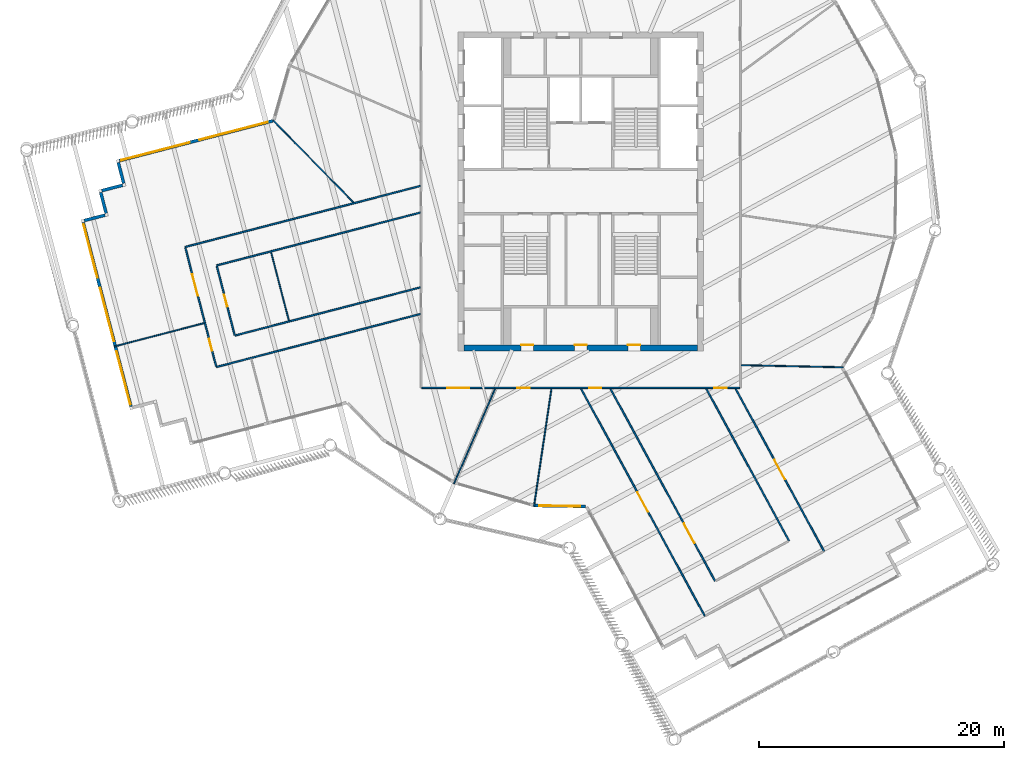
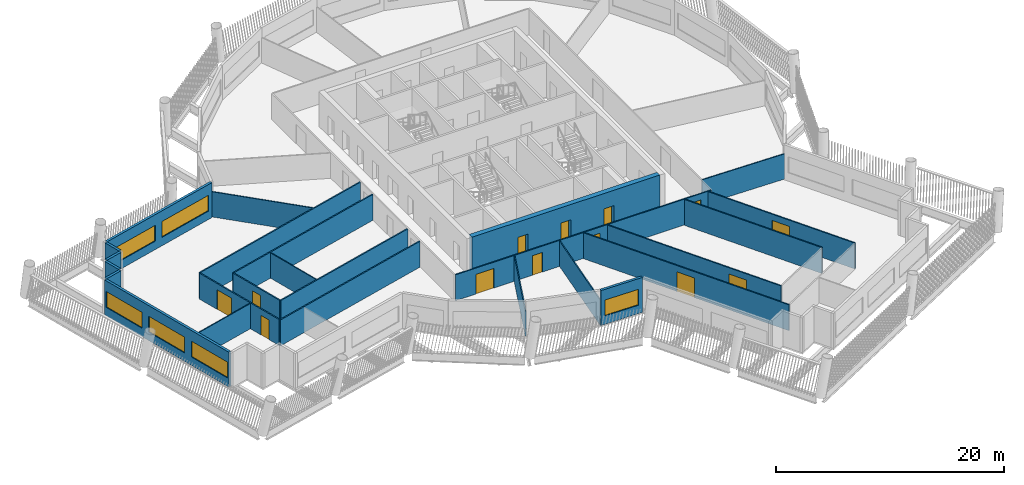
# One storey, part 3 of 14: 25 walls, 13 doors, 6 windows, 19 openings.
"""IFC4 building model written with IfcOpenShell, lengths in metres."""

from ifc_helpers import new_model, si_unit, direction, frame, frame_2d, origin, place, context, subcontext, project, spatial, rectangle, extrude, material, layer, layer_set, type_object, element, fill, save


model = new_model("IFC4")

# Units and contexts
model_context = context("Model", 3, precision=1e-05, world=origin(), true_north=direction((0.0, 1.0)))
body_context = subcontext(model_context, "Body", "Model", "MODEL_VIEW")
ifc_project = project(units=[si_unit("LENGTHUNIT", "METRE"), si_unit("AREAUNIT", "SQUARE_METRE"), si_unit("VOLUMEUNIT", "CUBIC_METRE"), si_unit("PLANEANGLEUNIT", "RADIAN"), si_unit("MASSUNIT", "GRAM", prefix="KILO")], contexts=[model_context])

# Site, building, storey
site_placement = place(None, origin())
site = spatial("IfcSite", under=ifc_project, at=site_placement, CompositionType="ELEMENT")
building_placement = place(site_placement, origin())
building = spatial("IfcBuilding", under=site, at=building_placement, Name="Tarsis Ring Headquarters", CompositionType="ELEMENT")
storey_placement = place(building_placement, frame((0.0, 0.0, 343.10009765625)))
storey = spatial("IfcBuildingStorey", under=building, at=storey_placement, Name="L81", CompositionType="ELEMENT", Elevation=343.10009765625)

# Wall, openings, doors
ifc_material_1 = material(Name="Concrete C50/60", Category="concrete")
ifc_layer_1 = layer(ifc_material_1, 0.5)
ifc_layer_set_1 = layer_set([ifc_layer_1], Name="Core wall 500 C50/60")
wall_type_1 = type_object("IfcWallType", Name="Core wall 500 C50/60", PredefinedType="SHEAR", material=ifc_layer_set_1)
wall_1_placement = place(storey_placement, frame((-9.5, -12.75, 0.0), z_axis=(0.0, 0.0, 1.0), x_axis=(1.0, 0.0, 0.0)))
wall_1 = element("IfcWall", 1, at=wall_1_placement, inside=storey, type_object=wall_type_1, Name="Core wall OS", PredefinedType="SHEAR", context=body_context, shape_type="SweptSolid", body=[
    extrude(rectangle(XDim=19.0, YDim=0.5, at=frame_2d((9.5, 0.0))), origin(), (0.0, 0.0, 1.0), 3.739990234375),
])
opening_1_placement = place(wall_1_placement, frame((4.64990234375, 0.0, 0.0)))
opening_1 = element("IfcOpeningElement", 2, at=opening_1_placement, cuts=wall_1, Name="Opening L81-C19", PredefinedType="OPENING", context=body_context, shape_type="SweptSolid", body=[
    extrude(rectangle(XDim=1.0, YDim=2.10009765625, at=frame_2d((0.5, 1.050048828125))), frame((0.0, 0.260009765625, 0.0), z_axis=(0.0, -1.0, 0.0), x_axis=(1.0, 0.0, 0.0)), (0.0, 0.0, 1.0), 0.52001953125),
])
opening_2_placement = place(wall_1_placement, frame((9.0, 0.0, 0.0)))
opening_2 = element("IfcOpeningElement", 3, at=opening_2_placement, cuts=wall_1, Name="Opening L81-C20", PredefinedType="OPENING", context=body_context, shape_type="SweptSolid", body=[
    extrude(rectangle(XDim=1.0, YDim=2.10009765625, at=frame_2d((0.5, 1.050048828125))), frame((0.0, 0.260009765625, 0.0), z_axis=(0.0, -1.0, 0.0), x_axis=(1.0, 0.0, 0.0)), (0.0, 0.0, 1.0), 0.52001953125),
])
opening_3_placement = place(wall_1_placement, frame((13.35009765625, 0.0, 0.0)))
opening_3 = element("IfcOpeningElement", 4, at=opening_3_placement, cuts=wall_1, Name="Opening L81-C21", PredefinedType="OPENING", context=body_context, shape_type="SweptSolid", body=[
    extrude(rectangle(XDim=1.0, YDim=2.10009765625, at=frame_2d((0.5, 1.050048828125))), frame((0.0, 0.260009765625, 0.0), z_axis=(0.0, -1.0, 0.0), x_axis=(1.0, 0.0, 0.0)), (0.0, 0.0, 1.0), 0.52001953125),
])
ifc_material_2 = material(Name="Steel S355", Category="steel")
door_type_1 = type_object("IfcDoorType", Name="Core room door 1000x2100", OperationType="SINGLE_SWING_LEFT", PredefinedType="DOOR", material=ifc_material_2)
door_1_placement = place(opening_1_placement, origin())
door_1 = element("IfcDoor", 5, at=door_1_placement, inside=storey, type_object=door_type_1, Name="Core room door L81", OperationType="SINGLE_SWING_LEFT", OverallHeight=2.10009765625, OverallWidth=1.0, PredefinedType="DOOR", context=body_context, shape_type="SweptSolid", body=[
    extrude(rectangle(XDim=1.0, YDim=2.10009765625, at=frame_2d((0.5, 1.050048828125))), frame((0.0, 0.25, 0.0), z_axis=(0.0, -1.0, 0.0), x_axis=(1.0, 0.0, 0.0)), (0.0, 0.0, 1.0), 0.050048828125),
])
fill(opening_1, door_1)
door_2_placement = place(opening_2_placement, origin())
door_2 = element("IfcDoor", 6, at=door_2_placement, inside=storey, type_object=door_type_1, Name="Core room door L81", OperationType="SINGLE_SWING_LEFT", OverallHeight=2.10009765625, OverallWidth=1.0, PredefinedType="DOOR", context=body_context, shape_type="SweptSolid", body=[
    extrude(rectangle(XDim=1.0, YDim=2.10009765625, at=frame_2d((0.5, 1.050048828125))), frame((0.0, 0.25, 0.0), z_axis=(0.0, -1.0, 0.0), x_axis=(1.0, 0.0, 0.0)), (0.0, 0.0, 1.0), 0.050048828125),
])
fill(opening_2, door_2)
door_3_placement = place(opening_3_placement, origin())
door_3 = element("IfcDoor", 7, at=door_3_placement, inside=storey, type_object=door_type_1, Name="Core room door L81", OperationType="SINGLE_SWING_LEFT", OverallHeight=2.10009765625, OverallWidth=1.0, PredefinedType="DOOR", context=body_context, shape_type="SweptSolid", body=[
    extrude(rectangle(XDim=1.0, YDim=2.10009765625, at=frame_2d((0.5, 1.050048828125))), frame((0.0, 0.25, 0.0), z_axis=(0.0, -1.0, 0.0), x_axis=(1.0, 0.0, 0.0)), (0.0, 0.0, 1.0), 0.050048828125),
])
fill(opening_3, door_3)

# Walls
ifc_material_3 = material(Name="Gypsum board on steel studs", Category="steel")
ifc_layer_2 = layer(ifc_material_3, 0.10009765625)
ifc_layer_set_2 = layer_set([ifc_layer_2], Name="FL partition 100 unrated")
wall_type_2 = type_object("IfcWallType", Name="FL partition 100 unrated", PredefinedType="PARTITIONING", material=ifc_layer_set_2)
wall_2_placement = place(storey_placement, frame((-3.80859375, -25.666748046875, 0.0), z_axis=(0.0, 0.0, 1.0), x_axis=(0.146770252347, 0.989170608654, 0.0)))
element("IfcWall", 8, at=wall_2_placement, inside=storey, type_object=wall_type_2, Name="Partition PW3", PredefinedType="PARTITIONING", context=body_context, shape_type="SweptSolid", body=[
    extrude(rectangle(XDim=9.70263671875, YDim=0.10009765625, at=frame_2d((4.851318359375, 0.0))), origin(), (0.0, 0.0, 1.0), 2.699951171875),
])
wall_3_placement = place(storey_placement, frame((-25.068359375, 5.8095703125, 0.0), z_axis=(0.0, 0.0, 1.0), x_axis=(0.698525275725, -0.715585382168, 0.0)))
element("IfcWall", 9, at=wall_3_placement, inside=storey, type_object=wall_type_2, Name="Partition PW3", PredefinedType="PARTITIONING", context=body_context, shape_type="SweptSolid", body=[
    extrude(rectangle(XDim=9.359130859375, YDim=0.10009765625, at=frame_2d((4.6796875, 0.0))), origin(), (0.0, 0.0, 1.0), 2.699951171875),
])
wall_4_placement = place(storey_placement, frame((-10.32177734375, -23.806640625, 0.0), z_axis=(0.0, 0.0, 1.0), x_axis=(0.397782198429, 0.917479875863, 0.0)))
element("IfcWall", 10, at=wall_4_placement, inside=storey, type_object=wall_type_2, Name="Partition PW3", PredefinedType="PARTITIONING", context=body_context, shape_type="SweptSolid", body=[
    extrude(rectangle(XDim=8.4287109375, YDim=0.10009765625, at=frame_2d((4.21435546875, 0.0))), origin(), (0.0, 0.0, 1.0), 2.699951171875),
])
wall_5_placement = place(storey_placement, frame((13.070068359375, -14.154541015625, 0.0), z_axis=(0.0, 0.0, 1.0), x_axis=(0.999784723778, -0.020748640906, 0.0)))
element("IfcWall", 11, at=wall_5_placement, inside=storey, type_object=wall_type_2, Name="Partition PW3", PredefinedType="PARTITIONING", context=body_context, shape_type="SweptSolid", body=[
    extrude(rectangle(XDim=8.30712890625, YDim=0.10009765625, at=frame_2d((4.153564453125, 0.0))), origin(), (0.0, 0.0, 1.0), 2.699951171875),
])
wall_6_placement = place(storey_placement, frame((-37.995849609375, -12.62744140625, 0.0), z_axis=(0.0, 0.0, 1.0), x_axis=(0.967887994521, 0.251381841154, 0.0)))
element("IfcWall", 12, at=wall_6_placement, inside=storey, type_object=wall_type_2, Name="Partition PW3", PredefinedType="PARTITIONING", context=body_context, shape_type="SweptSolid", body=[
    extrude(rectangle(XDim=7.550048828125, YDim=0.10009765625, at=frame_2d((3.77490234375, 0.0))), origin(), (0.0, 0.0, 1.0), 2.699951171875),
])
wall_7_placement = place(storey_placement, frame((-25.2255859375, -4.950439453125, 0.0), z_axis=(0.0, 0.0, 1.0), x_axis=(0.251381347681, -0.967888122687, 0.0)))
element("IfcWall", 13, at=wall_7_placement, inside=storey, type_object=wall_type_2, Name="Partition PW3", PredefinedType="PARTITIONING", context=body_context, shape_type="SweptSolid", body=[
    extrude(rectangle(XDim=5.76025390625, YDim=0.10009765625, at=frame_2d((2.880126953125, 0.0))), origin(), (0.0, 0.0, 1.0), 2.699951171875),
])

# Wall, openings, doors
ifc_layer_3 = layer(ifc_material_3, 0.125)
ifc_layer_set_3 = layer_set([ifc_layer_3], Name="FL partition 125 EI 60 H2770")
wall_type_3 = type_object("IfcWallType", Name="FL partition 125 EI 60 H2770", PredefinedType="PARTITIONING", material=ifc_layer_set_3)
wall_8_placement = place(storey_placement, frame((-12.93994140625, -16.0, 0.0), z_axis=(0.0, 0.0, 1.0), x_axis=(1.0, 0.0, 0.0)))
wall_8 = element("IfcWall", 14, at=wall_8_placement, inside=storey, type_object=wall_type_3, Name="Partition PW1", PredefinedType="PARTITIONING", context=body_context, shape_type="SweptSolid", body=[
    extrude(rectangle(XDim=25.8798828125, YDim=0.125, at=frame_2d((12.93994140625, 0.0))), origin(), (0.0, 0.0, 1.0), 2.77001953125),
])
opening_4_placement = place(wall_8_placement, frame((7.784423828125, 0.0, 0.0)))
opening_4 = element("IfcOpeningElement", 15, at=opening_4_placement, cuts=wall_8, Name="Opening D81.12", PredefinedType="OPENING", context=body_context, shape_type="SweptSolid", body=[
    extrude(rectangle(XDim=1.0, YDim=2.10009765625, at=frame_2d((0.5, 1.050048828125))), frame((0.0, 0.072509765625, 0.0), z_axis=(0.0, -1.0, 0.0), x_axis=(1.0, 0.0, 0.0)), (0.0, 0.0, 1.0), 0.14501953125),
])
opening_5_placement = place(wall_8_placement, frame((2.071533203125, 0.0, 0.0)))
opening_5 = element("IfcOpeningElement", 16, at=opening_5_placement, cuts=wall_8, Name="Opening D81.13", PredefinedType="OPENING", context=body_context, shape_type="SweptSolid", body=[
    extrude(rectangle(XDim=1.800048828125, YDim=2.10009765625, at=frame_2d((0.89990234375, 1.050048828125))), frame((0.0, 0.072509765625, 0.0), z_axis=(0.0, -1.0, 0.0), x_axis=(1.0, 0.0, 0.0)), (0.0, 0.0, 1.0), 0.14501953125),
])
opening_6_placement = place(wall_8_placement, frame((13.623291015625, 0.0, 0.0)))
opening_6 = element("IfcOpeningElement", 17, at=opening_6_placement, cuts=wall_8, Name="Opening D81.17", PredefinedType="OPENING", context=body_context, shape_type="SweptSolid", body=[
    extrude(rectangle(XDim=1.0, YDim=2.10009765625, at=frame_2d((0.5, 1.050048828125))), frame((0.0, 0.072509765625, 0.0), z_axis=(0.0, -1.0, 0.0), x_axis=(1.0, 0.0, 0.0)), (0.0, 0.0, 1.0), 0.14501953125),
])
opening_7_placement = place(wall_8_placement, frame((23.82470703125, 0.0, 0.0)))
opening_7 = element("IfcOpeningElement", 18, at=opening_7_placement, cuts=wall_8, Name="Opening D81.18", PredefinedType="OPENING", context=body_context, shape_type="SweptSolid", body=[
    extrude(rectangle(XDim=1.0, YDim=2.10009765625, at=frame_2d((0.5, 1.050048828125))), frame((0.0, 0.072509765625, 0.0), z_axis=(0.0, -1.0, 0.0), x_axis=(1.0, 0.0, 0.0)), (0.0, 0.0, 1.0), 0.14501953125),
])
ifc_material_4 = material(Name="Fire-rated timber door leaf in steel frame", Category="steel")
door_type_2 = type_object("IfcDoorType", Name="FL door FD60-1000", OperationType="NOTDEFINED", PredefinedType="DOOR", material=ifc_material_4)
door_4_placement = place(opening_4_placement, origin())
door_4 = element("IfcDoor", 19, at=door_4_placement, inside=storey, type_object=door_type_2, Name="Door D81.12", OperationType="SINGLE_SWING_LEFT", OverallHeight=2.10009765625, OverallWidth=1.0, PredefinedType="DOOR", context=body_context, shape_type="SweptSolid", body=[
    extrude(rectangle(XDim=1.0, YDim=2.10009765625, at=frame_2d((0.5, 1.050048828125))), frame((0.0, 0.02490234375, 0.0), z_axis=(0.0, -1.0, 0.0), x_axis=(1.0, 0.0, 0.0)), (0.0, 0.0, 1.0), 0.050048828125),
])
fill(opening_4, door_4)
door_5_placement = place(opening_6_placement, origin())
door_5 = element("IfcDoor", 20, at=door_5_placement, inside=storey, type_object=door_type_2, Name="Door D81.17", OperationType="SINGLE_SWING_RIGHT", OverallHeight=2.10009765625, OverallWidth=1.0, PredefinedType="DOOR", context=body_context, shape_type="SweptSolid", body=[
    extrude(rectangle(XDim=1.0, YDim=2.10009765625, at=frame_2d((0.5, 1.050048828125))), frame((0.0, 0.02490234375, 0.0), z_axis=(0.0, -1.0, 0.0), x_axis=(1.0, 0.0, 0.0)), (0.0, 0.0, 1.0), 0.050048828125),
])
fill(opening_6, door_5)
door_6_placement = place(opening_7_placement, origin())
door_6 = element("IfcDoor", 21, at=door_6_placement, inside=storey, type_object=door_type_2, Name="Door D81.18", OperationType="SINGLE_SWING_LEFT", OverallHeight=2.10009765625, OverallWidth=1.0, PredefinedType="DOOR", context=body_context, shape_type="SweptSolid", body=[
    extrude(rectangle(XDim=1.0, YDim=2.10009765625, at=frame_2d((0.5, 1.050048828125))), frame((0.0, 0.02490234375, 0.0), z_axis=(0.0, -1.0, 0.0), x_axis=(1.0, 0.0, 0.0)), (0.0, 0.0, 1.0), 0.050048828125),
])
fill(opening_7, door_6)
door_type_3 = type_object("IfcDoorType", Name="FL door FD60-1800", OperationType="DOUBLE_DOOR_SINGLE_SWING", PredefinedType="DOOR", material=ifc_material_4)
door_7_placement = place(opening_5_placement, origin())
door_7 = element("IfcDoor", 22, at=door_7_placement, inside=storey, type_object=door_type_3, Name="Door D81.13", OperationType="DOUBLE_DOOR_SINGLE_SWING", OverallHeight=2.10009765625, OverallWidth=1.800048828125, PredefinedType="DOOR", context=body_context, shape_type="SweptSolid", body=[
    extrude(rectangle(XDim=1.800048828125, YDim=2.10009765625, at=frame_2d((0.89990234375, 1.050048828125))), frame((0.0, 0.02490234375, 0.0), z_axis=(0.0, -1.0, 0.0), x_axis=(1.0, 0.0, 0.0)), (0.0, 0.0, 1.0), 0.050048828125),
])
fill(opening_5, door_7)

# Wall, opening, door
wall_9_placement = place(storey_placement, frame((0.03564453125, -16.087890625, 0.0), z_axis=(0.0, 0.0, 1.0), x_axis=(0.478079990051, -0.878316300152, 0.0)))
wall_9 = element("IfcWall", 23, at=wall_9_placement, inside=storey, type_object=wall_type_3, Name="Partition PW1", PredefinedType="PARTITIONING", context=body_context, shape_type="SweptSolid", body=[
    extrude(rectangle(XDim=21.07275390625, YDim=0.125, at=frame_2d((10.536376953125, 0.0))), origin(), (0.0, 0.0, 1.0), 2.77001953125),
])
opening_8_placement = place(wall_9_placement, frame((9.58642578125, 0.0, 0.0)))
opening_8 = element("IfcOpeningElement", 24, at=opening_8_placement, cuts=wall_9, Name="Opening D81.11", PredefinedType="OPENING", context=body_context, shape_type="SweptSolid", body=[
    extrude(rectangle(XDim=1.800048828125, YDim=2.10009765625, at=frame_2d((0.89990234375, 1.050048828125))), frame((0.0, 0.072509765625, 0.0), z_axis=(0.0, -1.0, 0.0), x_axis=(1.0, 0.0, 0.0)), (0.0, 0.0, 1.0), 0.14501953125),
])
door_8_placement = place(opening_8_placement, origin())
door_8 = element("IfcDoor", 25, at=door_8_placement, inside=storey, type_object=door_type_3, Name="Door D81.11", OperationType="DOUBLE_DOOR_SINGLE_SWING", OverallHeight=2.10009765625, OverallWidth=1.800048828125, PredefinedType="DOOR", context=body_context, shape_type="SweptSolid", body=[
    extrude(rectangle(XDim=1.800048828125, YDim=2.10009765625, at=frame_2d((0.89990234375, 1.050048828125))), frame((0.0, 0.02490234375, 0.0), z_axis=(0.0, -1.0, 0.0), x_axis=(1.0, 0.0, 0.0)), (0.0, 0.0, 1.0), 0.050048828125),
])
fill(opening_8, door_8)

# Wall
wall_10_placement = place(storey_placement, frame((-32.226806640625, -4.527099609375, 0.0), z_axis=(0.0, 0.0, 1.0), x_axis=(0.967883663926, 0.251398514524, 0.0)))
element("IfcWall", 26, at=wall_10_placement, inside=storey, type_object=wall_type_3, Name="Partition PW1", PredefinedType="PARTITIONING", context=body_context, shape_type="SweptSolid", body=[
    extrude(rectangle(XDim=19.784912109375, YDim=0.125, at=frame_2d((9.892578125, 0.0))), origin(), (0.0, 0.0, 1.0), 2.77001953125),
])

# Wall, opening, door
wall_11_placement = place(storey_placement, frame((2.426513671875, -16.087890625, 0.0), z_axis=(0.0, 0.0, 1.0), x_axis=(0.478074847678, -0.878319099199, 0.0)))
wall_11 = element("IfcWall", 27, at=wall_11_placement, inside=storey, type_object=wall_type_3, Name="Partition PW1", PredefinedType="PARTITIONING", context=body_context, shape_type="SweptSolid", body=[
    extrude(rectangle(XDim=17.82958984375, YDim=0.125, at=frame_2d((8.914794921875, 0.0))), origin(), (0.0, 0.0, 1.0), 2.77001953125),
])
opening_9_placement = place(wall_11_placement, frame((12.490234375, 0.0, 0.0)))
opening_9 = element("IfcOpeningElement", 28, at=opening_9_placement, cuts=wall_11, Name="Opening D81.16", PredefinedType="OPENING", context=body_context, shape_type="SweptSolid", body=[
    extrude(rectangle(XDim=1.800048828125, YDim=2.10009765625, at=frame_2d((0.89990234375, 1.050048828125))), frame((0.0, 0.072509765625, 0.0), z_axis=(0.0, -1.0, 0.0), x_axis=(1.0, 0.0, 0.0)), (0.0, 0.0, 1.0), 0.14501953125),
])
door_9_placement = place(opening_9_placement, origin())
door_9 = element("IfcDoor", 29, at=door_9_placement, inside=storey, type_object=door_type_3, Name="Door D81.16", OperationType="DOUBLE_DOOR_SINGLE_SWING", OverallHeight=2.10009765625, OverallWidth=1.800048828125, PredefinedType="DOOR", context=body_context, shape_type="SweptSolid", body=[
    extrude(rectangle(XDim=1.800048828125, YDim=2.10009765625, at=frame_2d((0.89990234375, 1.050048828125))), frame((0.0, 0.02490234375, 0.0), z_axis=(0.0, -1.0, 0.0), x_axis=(1.0, 0.0, 0.0)), (0.0, 0.0, 1.0), 0.050048828125),
])
fill(opening_9, door_9)

# Walls
wall_12_placement = place(storey_placement, frame((-29.687744140625, -14.302734375, 0.0), z_axis=(0.0, 0.0, 1.0), x_axis=(0.96788262399, 0.251402518243, 0.0)))
element("IfcWall", 30, at=wall_12_placement, inside=storey, type_object=wall_type_3, Name="Partition PW1", PredefinedType="PARTITIONING", context=body_context, shape_type="SweptSolid", body=[
    extrude(rectangle(XDim=17.16162109375, YDim=0.125, at=frame_2d((8.580810546875, 0.0))), origin(), (0.0, 0.0, 1.0), 2.77001953125),
])
wall_13_placement = place(storey_placement, frame((-29.66650390625, -6.03173828125, 0.0), z_axis=(0.0, 0.0, 1.0), x_axis=(0.967884018009, 0.251397151302, 0.0)))
element("IfcWall", 31, at=wall_13_placement, inside=storey, type_object=wall_type_3, Name="Partition PW1", PredefinedType="PARTITIONING", context=body_context, shape_type="SweptSolid", body=[
    extrude(rectangle(XDim=17.1396484375, YDim=0.125, at=frame_2d((8.56982421875, 0.0))), origin(), (0.0, 0.0, 1.0), 2.77001953125),
])
wall_14_placement = place(storey_placement, frame((-28.18310546875, -11.7421875, 0.0), z_axis=(0.0, 0.0, 1.0), x_axis=(0.967883356889, 0.251399696613, 0.0)))
element("IfcWall", 32, at=wall_14_placement, inside=storey, type_object=wall_type_3, Name="Partition PW1", PredefinedType="PARTITIONING", context=body_context, shape_type="SweptSolid", body=[
    extrude(rectangle(XDim=15.60693359375, YDim=0.125, at=frame_2d((7.803466796875, 0.0))), origin(), (0.0, 0.0, 1.0), 2.77001953125),
])

# Wall, opening, door
wall_15_placement = place(storey_placement, frame((12.627685546875, -16.087890625, 0.0), z_axis=(0.0, 0.0, 1.0), x_axis=(0.478089447283, -0.878311152381, 0.0)))
wall_15 = element("IfcWall", 33, at=wall_15_placement, inside=storey, type_object=wall_type_3, Name="Partition PW1", PredefinedType="PARTITIONING", context=body_context, shape_type="SweptSolid", body=[
    extrude(rectangle(XDim=15.052734375, YDim=0.125, at=frame_2d((7.5263671875, 0.0))), origin(), (0.0, 0.0, 1.0), 2.77001953125),
])
opening_10_placement = place(wall_15_placement, frame((6.576416015625, 0.0, 0.0)))
opening_10 = element("IfcOpeningElement", 34, at=opening_10_placement, cuts=wall_15, Name="Opening D81.10", PredefinedType="OPENING", context=body_context, shape_type="SweptSolid", body=[
    extrude(rectangle(XDim=1.800048828125, YDim=2.10009765625, at=frame_2d((0.89990234375, 1.050048828125))), frame((0.0, 0.072509765625, 0.0), z_axis=(0.0, -1.0, 0.0), x_axis=(1.0, 0.0, 0.0)), (0.0, 0.0, 1.0), 0.14501953125),
])
door_10_placement = place(opening_10_placement, origin())
door_10 = element("IfcDoor", 35, at=door_10_placement, inside=storey, type_object=door_type_3, Name="Door D81.10", OperationType="DOUBLE_DOOR_SINGLE_SWING", OverallHeight=2.10009765625, OverallWidth=1.800048828125, PredefinedType="DOOR", context=body_context, shape_type="SweptSolid", body=[
    extrude(rectangle(XDim=1.800048828125, YDim=2.10009765625, at=frame_2d((0.89990234375, 1.050048828125))), frame((0.0, 0.02490234375, 0.0), z_axis=(0.0, -1.0, 0.0), x_axis=(1.0, 0.0, 0.0)), (0.0, 0.0, 1.0), 0.050048828125),
])
fill(opening_10, door_10)

# Wall
wall_16_placement = place(storey_placement, frame((10.23681640625, -16.087890625, 0.0), z_axis=(0.0, 0.0, 1.0), x_axis=(0.478083800116, -0.878314226269, 0.0)))
element("IfcWall", 36, at=wall_16_placement, inside=storey, type_object=wall_type_3, Name="Partition PW1", PredefinedType="PARTITIONING", context=body_context, shape_type="SweptSolid", body=[
    extrude(rectangle(XDim=14.095947265625, YDim=0.125, at=frame_2d((7.0478515625, 0.0))), origin(), (0.0, 0.0, 1.0), 2.77001953125),
])

# Wall, openings, doors
wall_17_placement = place(storey_placement, frame((-32.2119140625, -4.585205078125, 0.0), z_axis=(0.0, 0.0, 1.0), x_axis=(0.251406995455, -0.967881461046, 0.0)))
wall_17 = element("IfcWall", 37, at=wall_17_placement, inside=storey, type_object=wall_type_3, Name="Partition PW1", PredefinedType="PARTITIONING", context=body_context, shape_type="SweptSolid", body=[
    extrude(rectangle(XDim=9.97998046875, YDim=0.125, at=frame_2d((4.989990234375, 0.0))), origin(), (0.0, 0.0, 1.0), 2.77001953125),
])
opening_11_placement = place(wall_17_placement, frame((7.683349609375, 0.0, 0.0)))
opening_11 = element("IfcOpeningElement", 38, at=opening_11_placement, cuts=wall_17, Name="Opening D81.01", PredefinedType="OPENING", context=body_context, shape_type="SweptSolid", body=[
    extrude(rectangle(XDim=1.0, YDim=2.10009765625, at=frame_2d((0.5, 1.050048828125))), frame((0.0, 0.072509765625, 0.0), z_axis=(0.0, -1.0, 0.0), x_axis=(1.0, 0.0, 0.0)), (0.0, 0.0, 1.0), 0.14501953125),
])
opening_12_placement = place(wall_17_placement, frame((2.2333984375, 0.0, 0.0)))
opening_12 = element("IfcOpeningElement", 39, at=opening_12_placement, cuts=wall_17, Name="Opening D81.02", PredefinedType="OPENING", context=body_context, shape_type="SweptSolid", body=[
    extrude(rectangle(XDim=1.800048828125, YDim=2.10009765625, at=frame_2d((0.89990234375, 1.050048828125))), frame((0.0, 0.072509765625, 0.0), z_axis=(0.0, -1.0, 0.0), x_axis=(1.0, 0.0, 0.0)), (0.0, 0.0, 1.0), 0.14501953125),
])
door_11_placement = place(opening_11_placement, origin())
door_11 = element("IfcDoor", 40, at=door_11_placement, inside=storey, type_object=door_type_2, Name="Door D81.01", OperationType="SINGLE_SWING_RIGHT", OverallHeight=2.10009765625, OverallWidth=1.0, PredefinedType="DOOR", context=body_context, shape_type="SweptSolid", body=[
    extrude(rectangle(XDim=1.0, YDim=2.10009765625, at=frame_2d((0.5, 1.050048828125))), frame((0.0, 0.02490234375, 0.0), z_axis=(0.0, -1.0, 0.0), x_axis=(1.0, 0.0, 0.0)), (0.0, 0.0, 1.0), 0.050048828125),
])
fill(opening_11, door_11)
door_12_placement = place(opening_12_placement, origin())
door_12 = element("IfcDoor", 41, at=door_12_placement, inside=storey, type_object=door_type_3, Name="Door D81.02", OperationType="DOUBLE_DOOR_SINGLE_SWING", OverallHeight=2.10009765625, OverallWidth=1.800048828125, PredefinedType="DOOR", context=body_context, shape_type="SweptSolid", body=[
    extrude(rectangle(XDim=1.800048828125, YDim=2.10009765625, at=frame_2d((0.89990234375, 1.050048828125))), frame((0.0, 0.02490234375, 0.0), z_axis=(0.0, -1.0, 0.0), x_axis=(1.0, 0.0, 0.0)), (0.0, 0.0, 1.0), 0.050048828125),
])
fill(opening_12, door_12)

# Wall, opening, door
wall_18_placement = place(storey_placement, frame((-29.6513671875, -6.089599609375, 0.0), z_axis=(0.0, 0.0, 1.0), x_axis=(0.2514004199, -0.967883169021, 0.0)))
wall_18 = element("IfcWall", 42, at=wall_18_placement, inside=storey, type_object=wall_type_3, Name="Partition PW1", PredefinedType="PARTITIONING", context=body_context, shape_type="SweptSolid", body=[
    extrude(rectangle(XDim=5.780029296875, YDim=0.125, at=frame_2d((2.89013671875, 0.0))), origin(), (0.0, 0.0, 1.0), 2.77001953125),
])
opening_13_placement = place(wall_18_placement, frame((2.389892578125, 0.0, 0.0)))
opening_13 = element("IfcOpeningElement", 43, at=opening_13_placement, cuts=wall_18, Name="Opening D81.15", PredefinedType="OPENING", context=body_context, shape_type="SweptSolid", body=[
    extrude(rectangle(XDim=1.0, YDim=2.10009765625, at=frame_2d((0.5, 1.050048828125))), frame((0.0, 0.072509765625, 0.0), z_axis=(0.0, -1.0, 0.0), x_axis=(1.0, 0.0, 0.0)), (0.0, 0.0, 1.0), 0.14501953125),
])
door_13_placement = place(opening_13_placement, origin())
door_13 = element("IfcDoor", 44, at=door_13_placement, inside=storey, type_object=door_type_2, Name="Door D81.15", OperationType="SINGLE_SWING_RIGHT", OverallHeight=2.10009765625, OverallWidth=1.0, PredefinedType="DOOR", context=body_context, shape_type="SweptSolid", body=[
    extrude(rectangle(XDim=1.0, YDim=2.10009765625, at=frame_2d((0.5, 1.050048828125))), frame((0.0, 0.02490234375, 0.0), z_axis=(0.0, -1.0, 0.0), x_axis=(1.0, 0.0, 0.0)), (0.0, 0.0, 1.0), 0.050048828125),
])
fill(opening_13, door_13)

# Wall, opening, window
ifc_material_5 = material(Name="Terracotta clad insulated panel wall", Category="masonry")
ifc_layer_4 = layer(ifc_material_5, 0.25)
ifc_layer_set_4 = layer_set([ifc_layer_4], Name="Facade wall terracotta panel 250")
wall_type_4 = type_object("IfcWallType", Name="Facade wall terracotta panel 250", PredefinedType="STANDARD", material=ifc_layer_set_4)
wall_19_placement = place(storey_placement, frame((-3.78125, -25.593994140625, 0.0), z_axis=(0.0, 0.0, 1.0), x_axis=(0.999865780785, -0.016383541014, 0.0)))
wall_19 = element("IfcWall", 45, at=wall_19_placement, inside=storey, type_object=wall_type_4, Name="External wall L81-05", PredefinedType="STANDARD", context=body_context, shape_type="SweptSolid", body=[
    extrude(rectangle(XDim=4.157470703125, YDim=0.25, at=frame_2d((2.07861328125, 0.0))), origin(), (0.0, 0.0, 1.0), 3.739990234375),
])
opening_14_placement = place(wall_19_placement, frame((0.38720703125, 0.0, 0.89990234375)))
opening_14 = element("IfcOpeningElement", 46, at=opening_14_placement, cuts=wall_19, Name="Opening WN01", PredefinedType="OPENING", context=body_context, shape_type="SweptSolid", body=[
    extrude(rectangle(XDim=3.35009765625, YDim=1.699951171875, at=frame_2d((1.675048828125, 0.85009765625))), frame((0.0, 0.135009765625, 0.0), z_axis=(0.0, -1.0, 0.0), x_axis=(1.0, 0.0, 0.0)), (0.0, 0.0, 1.0), 0.27001953125),
])
ifc_material_6 = material(Name="Aluminium framed double glazing", Category="aluminium")
window_type_1 = type_object("IfcWindowType", Name="Facade window 3350 x 1700", PartitioningType="SINGLE_PANEL", PredefinedType="WINDOW", material=ifc_material_6)
window_1_placement = place(opening_14_placement, origin())
window_1 = element("IfcWindow", 47, at=window_1_placement, inside=storey, type_object=window_type_1, Name="Window L81-05.1", OverallHeight=1.699951171875, OverallWidth=3.35009765625, PartitioningType="SINGLE_PANEL", PredefinedType="WINDOW", context=body_context, shape_type="SweptSolid", body=[
    extrude(rectangle(XDim=3.35009765625, YDim=1.699951171875, at=frame_2d((1.675048828125, 0.85009765625))), frame((0.0, 0.030029296875, 0.0), z_axis=(0.0, -1.0, 0.0), x_axis=(1.0, 0.0, 0.0)), (0.0, 0.0, 1.0), 0.06005859375),
])
fill(opening_14, window_1)

# Wall, openings, windows
wall_20_placement = place(storey_placement, frame((-25.10009765625, 5.74951171875, 0.0), z_axis=(0.0, 0.0, 1.0), x_axis=(-0.967888008365, -0.251381787849, 0.0)))
wall_20 = element("IfcWall", 48, at=wall_20_placement, inside=storey, type_object=wall_type_4, Name="External wall L81-31", PredefinedType="STANDARD", context=body_context, shape_type="SweptSolid", body=[
    extrude(rectangle(XDim=12.9013671875, YDim=0.25, at=frame_2d((6.45068359375, 0.0))), origin(), (0.0, 0.0, 1.0), 3.739990234375),
])
opening_15_placement = place(wall_20_placement, frame((0.412841796875, 0.0, 0.89990234375)))
opening_15 = element("IfcOpeningElement", 49, at=opening_15_placement, cuts=wall_20, Name="Opening WN06", PredefinedType="OPENING", context=body_context, shape_type="SweptSolid", body=[
    extrude(rectangle(XDim=5.75, YDim=1.699951171875, at=frame_2d((2.875, 0.85009765625))), frame((0.0, 0.135009765625, 0.0), z_axis=(0.0, -1.0, 0.0), x_axis=(1.0, 0.0, 0.0)), (0.0, 0.0, 1.0), 0.27001953125),
])
opening_16_placement = place(wall_20_placement, frame((6.988525390625, 0.0, 0.89990234375)))
opening_16 = element("IfcOpeningElement", 50, at=opening_16_placement, cuts=wall_20, Name="Opening WN06", PredefinedType="OPENING", context=body_context, shape_type="SweptSolid", body=[
    extrude(rectangle(XDim=5.75, YDim=1.699951171875, at=frame_2d((2.875, 0.85009765625))), frame((0.0, 0.135009765625, 0.0), z_axis=(0.0, -1.0, 0.0), x_axis=(1.0, 0.0, 0.0)), (0.0, 0.0, 1.0), 0.27001953125),
])
window_type_2 = type_object("IfcWindowType", Name="Facade window 5750 x 1700", PartitioningType="SINGLE_PANEL", PredefinedType="WINDOW", material=ifc_material_6)
window_2_placement = place(opening_15_placement, origin())
window_2 = element("IfcWindow", 51, at=window_2_placement, inside=storey, type_object=window_type_2, Name="Window L81-31.1", OverallHeight=1.699951171875, OverallWidth=5.75, PartitioningType="SINGLE_PANEL", PredefinedType="WINDOW", context=body_context, shape_type="SweptSolid", body=[
    extrude(rectangle(XDim=5.75, YDim=1.699951171875, at=frame_2d((2.875, 0.85009765625))), frame((0.0, 0.030029296875, 0.0), z_axis=(0.0, -1.0, 0.0), x_axis=(1.0, 0.0, 0.0)), (0.0, 0.0, 1.0), 0.06005859375),
])
fill(opening_15, window_2)
window_3_placement = place(opening_16_placement, origin())
window_3 = element("IfcWindow", 52, at=window_3_placement, inside=storey, type_object=window_type_2, Name="Window L81-31.2", OverallHeight=1.699951171875, OverallWidth=5.75, PartitioningType="SINGLE_PANEL", PredefinedType="WINDOW", context=body_context, shape_type="SweptSolid", body=[
    extrude(rectangle(XDim=5.75, YDim=1.699951171875, at=frame_2d((2.875, 0.85009765625))), frame((0.0, 0.030029296875, 0.0), z_axis=(0.0, -1.0, 0.0), x_axis=(1.0, 0.0, 0.0)), (0.0, 0.0, 1.0), 0.06005859375),
])
fill(opening_16, window_3)

# Walls
for number, where, z_axis, x_axis, name in (
    (53, (-37.6767578125, 2.35400390625, 0.0), (0.0, 0.0, 1.0), (0.251388180884, -0.967886347931, 0.0), "External wall L81-32"),
    (54, (-37.326416015625, 0.507568359375, 0.0), (0.0, 0.0, 1.0), (-0.967920284006, -0.251257485081, 0.0), "External wall L81-33"),
    (55, (-39.109619140625, -0.084716796875, 0.0), (0.0, 0.0, 1.0), (0.251388180884, -0.967886347931, 0.0), "External wall L81-34"),
    (56, (-38.75927734375, -1.930908203125, 0.0), (0.0, 0.0, 1.0), (-0.967886347931, -0.251388180884, 0.0), "External wall L81-35"),
):
    element("IfcWall", number, at=place(storey_placement, frame(where, z_axis=z_axis, x_axis=x_axis)), inside=storey, type_object=wall_type_4, Name=name, PredefinedType="STANDARD", context=body_context, shape_type="SweptSolid", body=[
        extrude(rectangle(XDim=1.75, YDim=0.25, at=frame_2d((0.875, 0.0))), origin(), (0.0, 0.0, 1.0), 3.739990234375),
    ])

# Wall, openings, windows
wall_21_placement = place(storey_placement, frame((-40.542724609375, -2.523193359375, 0.0), z_axis=(0.0, 0.0, 1.0), x_axis=(0.251401622104, -0.967882856757, 0.0)))
wall_21 = element("IfcWall", 57, at=wall_21_placement, inside=storey, type_object=wall_type_4, Name="External wall L81-36", PredefinedType="STANDARD", context=body_context, shape_type="SweptSolid", body=[
    extrude(rectangle(XDim=15.5, YDim=0.25, at=frame_2d((7.75, 0.0))), origin(), (0.0, 0.0, 1.0), 3.739990234375),
])
opening_17_placement = place(wall_21_placement, frame((0.166748046875, 0.0, 0.89990234375)))
opening_17 = element("IfcOpeningElement", 58, at=opening_17_placement, cuts=wall_21, Name="Opening WN04", PredefinedType="OPENING", context=body_context, shape_type="SweptSolid", body=[
    extrude(rectangle(XDim=4.5, YDim=1.699951171875, at=frame_2d((2.25, 0.85009765625))), frame((0.0, 0.135009765625, 0.0), z_axis=(0.0, -1.0, 0.0), x_axis=(1.0, 0.0, 0.0)), (0.0, 0.0, 1.0), 0.27001953125),
])
opening_18_placement = place(wall_21_placement, frame((5.5, 0.0, 0.89990234375)))
opening_18 = element("IfcOpeningElement", 59, at=opening_18_placement, cuts=wall_21, Name="Opening WN04", PredefinedType="OPENING", context=body_context, shape_type="SweptSolid", body=[
    extrude(rectangle(XDim=4.5, YDim=1.699951171875, at=frame_2d((2.25, 0.85009765625))), frame((0.0, 0.135009765625, 0.0), z_axis=(0.0, -1.0, 0.0), x_axis=(1.0, 0.0, 0.0)), (0.0, 0.0, 1.0), 0.27001953125),
])
opening_19_placement = place(wall_21_placement, frame((10.833251953125, 0.0, 0.89990234375)))
opening_19 = element("IfcOpeningElement", 60, at=opening_19_placement, cuts=wall_21, Name="Opening WN04", PredefinedType="OPENING", context=body_context, shape_type="SweptSolid", body=[
    extrude(rectangle(XDim=4.5, YDim=1.699951171875, at=frame_2d((2.25, 0.85009765625))), frame((0.0, 0.135009765625, 0.0), z_axis=(0.0, -1.0, 0.0), x_axis=(1.0, 0.0, 0.0)), (0.0, 0.0, 1.0), 0.27001953125),
])
window_type_3 = type_object("IfcWindowType", Name="Facade window 4500 x 1700", PartitioningType="SINGLE_PANEL", PredefinedType="WINDOW", material=ifc_material_6)
window_4_placement = place(opening_17_placement, origin())
window_4 = element("IfcWindow", 61, at=window_4_placement, inside=storey, type_object=window_type_3, Name="Window L81-36.1", OverallHeight=1.699951171875, OverallWidth=4.5, PartitioningType="SINGLE_PANEL", PredefinedType="WINDOW", context=body_context, shape_type="SweptSolid", body=[
    extrude(rectangle(XDim=4.5, YDim=1.699951171875, at=frame_2d((2.25, 0.85009765625))), frame((0.0, 0.030029296875, 0.0), z_axis=(0.0, -1.0, 0.0), x_axis=(1.0, 0.0, 0.0)), (0.0, 0.0, 1.0), 0.06005859375),
])
fill(opening_17, window_4)
window_5_placement = place(opening_18_placement, origin())
window_5 = element("IfcWindow", 62, at=window_5_placement, inside=storey, type_object=window_type_3, Name="Window L81-36.2", OverallHeight=1.699951171875, OverallWidth=4.5, PartitioningType="SINGLE_PANEL", PredefinedType="WINDOW", context=body_context, shape_type="SweptSolid", body=[
    extrude(rectangle(XDim=4.5, YDim=1.699951171875, at=frame_2d((2.25, 0.85009765625))), frame((0.0, 0.030029296875, 0.0), z_axis=(0.0, -1.0, 0.0), x_axis=(1.0, 0.0, 0.0)), (0.0, 0.0, 1.0), 0.06005859375),
])
fill(opening_18, window_5)
window_6_placement = place(opening_19_placement, origin())
window_6 = element("IfcWindow", 63, at=window_6_placement, inside=storey, type_object=window_type_3, Name="Window L81-36.3", OverallHeight=1.699951171875, OverallWidth=4.5, PartitioningType="SINGLE_PANEL", PredefinedType="WINDOW", context=body_context, shape_type="SweptSolid", body=[
    extrude(rectangle(XDim=4.5, YDim=1.699951171875, at=frame_2d((2.25, 0.85009765625))), frame((0.0, 0.030029296875, 0.0), z_axis=(0.0, -1.0, 0.0), x_axis=(1.0, 0.0, 0.0)), (0.0, 0.0, 1.0), 0.06005859375),
])
fill(opening_19, window_6)

save(model, "model.ifc")
